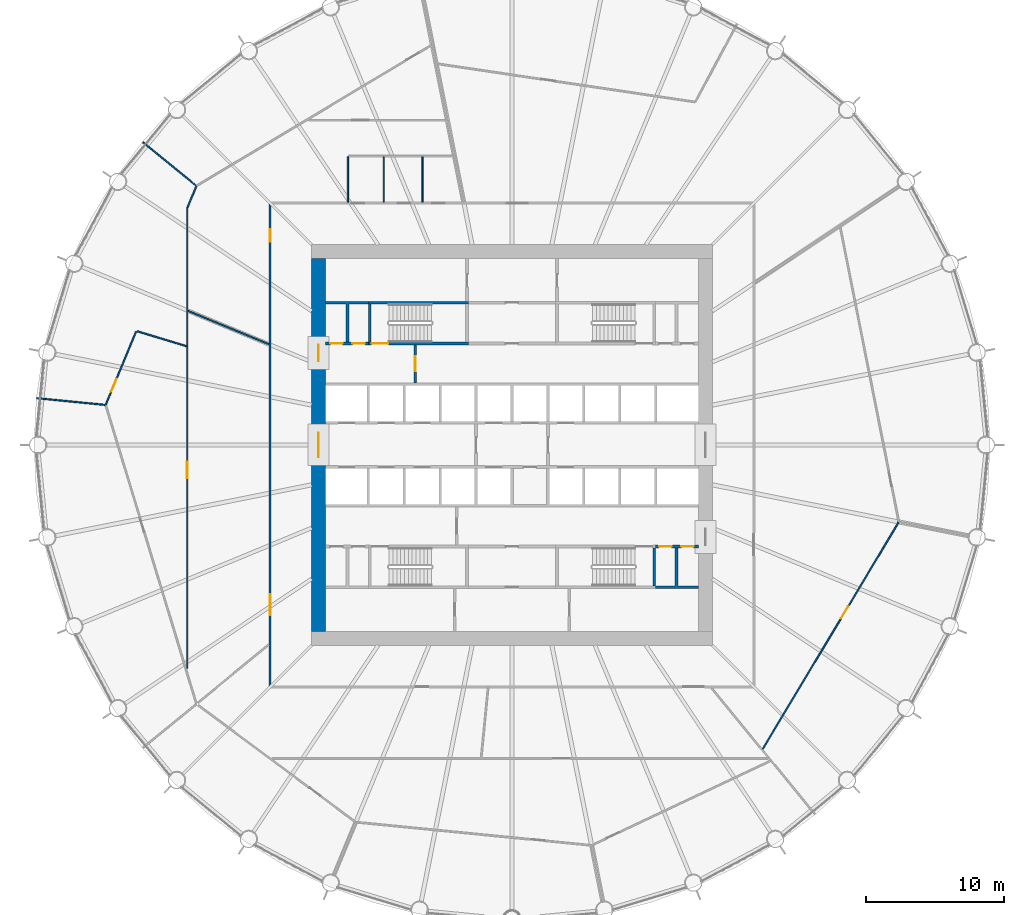
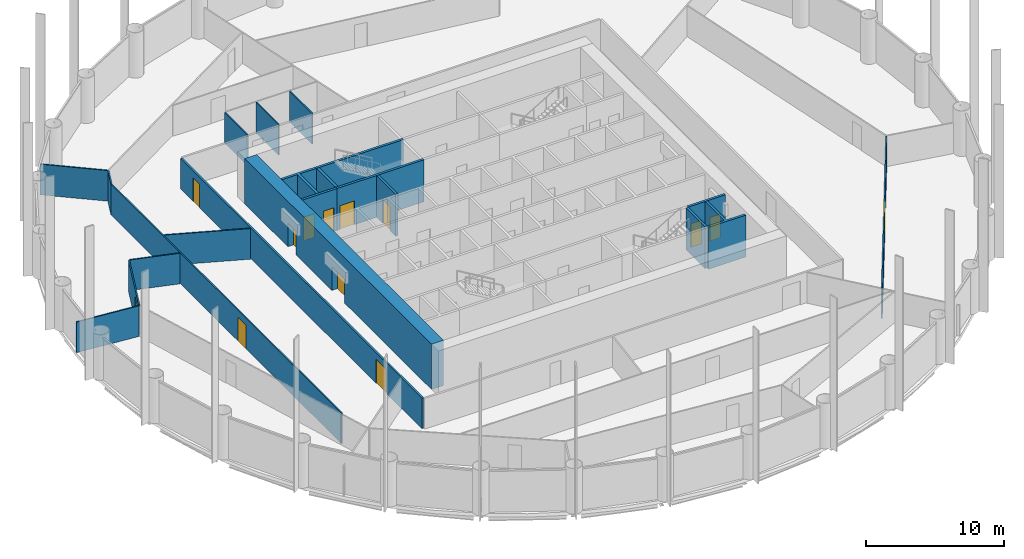
# One storey, part 5 of 10: 22 walls, 13 doors, 13 openings.
"""IFC4 building model written with IfcOpenShell, lengths in metres."""

from ifc_helpers import new_model, si_unit, direction, frame, frame_2d, origin, place, context, subcontext, project, spatial, polyline, rectangle, outline, extrude, material, layer, layer_set, type_object, element, fill, save


model = new_model("IFC4")

# Units and contexts
model_context = context("Model", 3, precision=1e-05, world=origin(), true_north=direction((0.0, 1.0)))
body_context = subcontext(model_context, "Body", "Model", "MODEL_VIEW")
ifc_project = project(units=[si_unit("LENGTHUNIT", "METRE"), si_unit("AREAUNIT", "SQUARE_METRE"), si_unit("VOLUMEUNIT", "CUBIC_METRE"), si_unit("PLANEANGLEUNIT", "RADIAN"), si_unit("MASSUNIT", "GRAM", prefix="KILO")], contexts=[model_context])

# Site, building, storey
site_placement = place(None, origin())
site = spatial("IfcSite", under=ifc_project, at=site_placement, CompositionType="ELEMENT")
building_placement = place(site_placement, origin())
building = spatial("IfcBuilding", under=site, at=building_placement, Name="Corvane Civic Tower", CompositionType="ELEMENT")
storey_placement = place(building_placement, frame((0.0, 0.0, 130.5)))
storey = spatial("IfcBuildingStorey", under=building, at=storey_placement, Name="L30", CompositionType="ELEMENT", Elevation=130.5)

# Wall, openings, doors
ifc_material_1 = material(Name="Concrete C70/85", Category="concrete")
ifc_layer_1 = layer(ifc_material_1, 1.0)
ifc_layer_set_1 = layer_set([ifc_layer_1], Name="Concrete C70/85")
wall_type_1 = type_object("IfcWallType", Name="CORE WALL 1000 C70/85", PredefinedType="SHEAR", material=ifc_layer_set_1)
wall_1_placement = place(storey_placement, frame((-14.0, -13.5, 0.0), z_axis=(0.0, 0.0, 1.0), x_axis=(0.0, 1.0, 0.0)))
wall_1 = element("IfcWall", 1, at=wall_1_placement, inside=storey, type_object=wall_type_1, Name="W-L30-core-W", PredefinedType="SHEAR", context=body_context, shape_type="SweptSolid", body=[
    extrude(rectangle(XDim=27.0, YDim=1.0, at=frame_2d((13.5, 0.0))), origin(), (0.0, 0.0, 1.0), 4.0),
])
opening_1_placement = place(wall_1_placement, frame((12.60009765625, 0.0, 0.0)))
opening_1 = element("IfcOpeningElement", 2, at=opening_1_placement, cuts=wall_1, Name="Opening L30.C26", PredefinedType="OPENING", context=body_context, shape_type="SweptSolid", body=[
    extrude(rectangle(XDim=1.800048828125, YDim=2.10009765625, at=frame_2d((0.89990234375, 1.050048828125))), frame((0.0, 0.510009765625, 0.0), z_axis=(0.0, -1.0, 0.0), x_axis=(1.0, 0.0, 0.0)), (0.0, 0.0, 1.0), 1.02001953125),
])
opening_2_placement = place(wall_1_placement, frame((19.550048828125, 0.0, 0.0)))
opening_2 = element("IfcOpeningElement", 3, at=opening_2_placement, cuts=wall_1, Name="Opening L30.C28", PredefinedType="OPENING", context=body_context, shape_type="SweptSolid", body=[
    extrude(rectangle(XDim=1.199951171875, YDim=2.10009765625, at=frame_2d((0.60009765625, 1.050048828125))), frame((0.0, 0.510009765625, 0.0), z_axis=(0.0, -1.0, 0.0), x_axis=(1.0, 0.0, 0.0)), (0.0, 0.0, 1.0), 1.02001953125),
])
ifc_material_2 = material(Name="Steel fire door leaf", Category="steel")
door_type_1 = type_object("IfcDoorType", Name="CR-DOOR-CORE-1800", OperationType="DOUBLE_DOOR_SINGLE_SWING", PredefinedType="DOOR", material=ifc_material_2)
door_1_placement = place(opening_1_placement, origin())
door_1 = element("IfcDoor", 4, at=door_1_placement, inside=storey, type_object=door_type_1, Name="L30 door", OperationType="DOUBLE_DOOR_SINGLE_SWING", OverallHeight=2.10009765625, OverallWidth=1.800048828125, PredefinedType="DOOR", context=body_context, shape_type="SweptSolid", body=[
    extrude(rectangle(XDim=1.800048828125, YDim=2.10009765625, at=frame_2d((0.89990234375, 1.050048828125))), frame((0.0, 0.02490234375, 0.0), z_axis=(0.0, -1.0, 0.0), x_axis=(1.0, 0.0, 0.0)), (0.0, 0.0, 1.0), 0.050048828125),
])
fill(opening_1, door_1)
door_2_placement = place(opening_2_placement, origin())
door_2 = element("IfcDoor", 5, at=door_2_placement, inside=storey, type_object=door_type_1, Name="L30 door", OperationType="DOUBLE_DOOR_SINGLE_SWING", OverallHeight=2.10009765625, OverallWidth=1.199951171875, PredefinedType="DOOR", context=body_context, shape_type="SweptSolid", body=[
    extrude(rectangle(XDim=1.199951171875, YDim=2.10009765625, at=frame_2d((0.60009765625, 1.050048828125))), frame((0.0, 0.02490234375, 0.0), z_axis=(0.0, -1.0, 0.0), x_axis=(1.0, 0.0, 0.0)), (0.0, 0.0, 1.0), 0.050048828125),
])
fill(opening_2, door_2)

ifc_material_3 = material(Name="Concrete C30/37", Category="concrete")
ifc_layer_2 = layer(ifc_material_3, 0.199951171875)
ifc_layer_set_2 = layer_set([ifc_layer_2], Name="Concrete C30/37")
wall_type_2 = type_object("IfcWallType", Name="CR-WALL-200", PredefinedType="PARTITIONING", material=ifc_layer_set_2)
wall_2_placement = place(storey_placement, frame((10.39990234375, -7.35009765625, 0.0), z_axis=(0.0, 0.0, 1.0), x_axis=(1.0, 0.0, 0.0)))
wall_2 = element("IfcWall", 6, at=wall_2_placement, inside=storey, type_object=wall_type_2, Name="L30 core partition wall", PredefinedType="PARTITIONING", context=body_context, shape_type="SweptSolid", body=[
    extrude(rectangle(XDim=3.10009765625, YDim=0.199951171875, at=frame_2d((1.550048828125, 0.0))), origin(), (0.0, 0.0, 1.0), 3.699951171875),
])
opening_3_placement = place(wall_2_placement, frame((0.25, 0.0, 0.0)))
opening_3 = element("IfcOpeningElement", 7, at=opening_3_placement, cuts=wall_2, Name="Opening L30.C16", PredefinedType="OPENING", context=body_context, shape_type="SweptSolid", body=[
    extrude(rectangle(XDim=0.89990234375, YDim=2.10009765625, at=frame_2d((0.449951171875, 1.050048828125))), frame((0.0, 0.10986328125, 0.0), z_axis=(0.0, -1.0, 0.0), x_axis=(1.0, 0.0, 0.0)), (0.0, 0.0, 1.0), 0.219970703125),
])
opening_4_placement = place(wall_2_placement, frame((1.85009765625, 0.0, 0.0)))
opening_4 = element("IfcOpeningElement", 8, at=opening_4_placement, cuts=wall_2, Name="Opening L30.C17", PredefinedType="OPENING", context=body_context, shape_type="SweptSolid", body=[
    extrude(rectangle(XDim=0.89990234375, YDim=2.10009765625, at=frame_2d((0.449951171875, 1.050048828125))), frame((0.0, 0.10986328125, 0.0), z_axis=(0.0, -1.0, 0.0), x_axis=(1.0, 0.0, 0.0)), (0.0, 0.0, 1.0), 0.219970703125),
])
ifc_material_4 = material(Name="Steel fire door leaf", Category="steel")
door_type_2 = type_object("IfcDoorType", Name="CR-DOOR-900", OperationType="SINGLE_SWING_LEFT", PredefinedType="DOOR", material=ifc_material_4)
door_3_placement = place(opening_3_placement, origin())
door_3 = element("IfcDoor", 9, at=door_3_placement, inside=storey, type_object=door_type_2, Name="L30 door", OperationType="SINGLE_SWING_LEFT", OverallHeight=2.10009765625, OverallWidth=0.89990234375, PredefinedType="DOOR", context=body_context, shape_type="SweptSolid", body=[
    extrude(rectangle(XDim=0.89990234375, YDim=2.10009765625, at=frame_2d((0.449951171875, 1.050048828125))), frame((0.0, 0.02490234375, 0.0), z_axis=(0.0, -1.0, 0.0), x_axis=(1.0, 0.0, 0.0)), (0.0, 0.0, 1.0), 0.050048828125),
])
fill(opening_3, door_3)
door_4_placement = place(opening_4_placement, origin())
door_4 = element("IfcDoor", 10, at=door_4_placement, inside=storey, type_object=door_type_2, Name="L30 door", OperationType="SINGLE_SWING_LEFT", OverallHeight=2.10009765625, OverallWidth=0.89990234375, PredefinedType="DOOR", context=body_context, shape_type="SweptSolid", body=[
    extrude(rectangle(XDim=0.89990234375, YDim=2.10009765625, at=frame_2d((0.449951171875, 1.050048828125))), frame((0.0, 0.02490234375, 0.0), z_axis=(0.0, -1.0, 0.0), x_axis=(1.0, 0.0, 0.0)), (0.0, 0.0, 1.0), 0.050048828125),
])
fill(opening_4, door_4)

wall_3_placement = place(storey_placement, frame((-13.5, 7.35009765625, 0.0), z_axis=(0.0, 0.0, 1.0), x_axis=(1.0, 0.0, 0.0)))
wall_3 = element("IfcWall", 11, at=wall_3_placement, inside=storey, type_object=wall_type_2, Name="L30 core partition wall", PredefinedType="PARTITIONING", context=body_context, shape_type="SweptSolid", body=[
    extrude(rectangle(XDim=3.10009765625, YDim=0.199951171875, at=frame_2d((1.550048828125, 0.0))), origin(), (0.0, 0.0, 1.0), 3.699951171875),
])
opening_5_placement = place(wall_3_placement, frame((0.35009765625, 0.0, 0.0)))
opening_5 = element("IfcOpeningElement", 12, at=opening_5_placement, cuts=wall_3, Name="Opening L30.C10", PredefinedType="OPENING", context=body_context, shape_type="SweptSolid", body=[
    extrude(rectangle(XDim=0.89990234375, YDim=2.10009765625, at=frame_2d((0.449951171875, 1.050048828125))), frame((0.0, 0.10986328125, 0.0), z_axis=(0.0, -1.0, 0.0), x_axis=(1.0, 0.0, 0.0)), (0.0, 0.0, 1.0), 0.219970703125),
])
opening_6_placement = place(wall_3_placement, frame((1.949951171875, 0.0, 0.0)))
opening_6 = element("IfcOpeningElement", 13, at=opening_6_placement, cuts=wall_3, Name="Opening L30.C11", PredefinedType="OPENING", context=body_context, shape_type="SweptSolid", body=[
    extrude(rectangle(XDim=0.89990234375, YDim=2.10009765625, at=frame_2d((0.449951171875, 1.050048828125))), frame((0.0, 0.10986328125, 0.0), z_axis=(0.0, -1.0, 0.0), x_axis=(1.0, 0.0, 0.0)), (0.0, 0.0, 1.0), 0.219970703125),
])
door_5_placement = place(opening_5_placement, origin())
door_5 = element("IfcDoor", 14, at=door_5_placement, inside=storey, type_object=door_type_2, Name="L30 door", OperationType="SINGLE_SWING_LEFT", OverallHeight=2.10009765625, OverallWidth=0.89990234375, PredefinedType="DOOR", context=body_context, shape_type="SweptSolid", body=[
    extrude(rectangle(XDim=0.89990234375, YDim=2.10009765625, at=frame_2d((0.449951171875, 1.050048828125))), frame((0.0, 0.02490234375, 0.0), z_axis=(0.0, -1.0, 0.0), x_axis=(1.0, 0.0, 0.0)), (0.0, 0.0, 1.0), 0.050048828125),
])
fill(opening_5, door_5)
door_6_placement = place(opening_6_placement, origin())
door_6 = element("IfcDoor", 15, at=door_6_placement, inside=storey, type_object=door_type_2, Name="L30 door", OperationType="SINGLE_SWING_LEFT", OverallHeight=2.10009765625, OverallWidth=0.89990234375, PredefinedType="DOOR", context=body_context, shape_type="SweptSolid", body=[
    extrude(rectangle(XDim=0.89990234375, YDim=2.10009765625, at=frame_2d((0.449951171875, 1.050048828125))), frame((0.0, 0.02490234375, 0.0), z_axis=(0.0, -1.0, 0.0), x_axis=(1.0, 0.0, 0.0)), (0.0, 0.0, 1.0), 0.050048828125),
])
fill(opening_6, door_6)

# Wall, opening, door
wall_4_placement = place(storey_placement, frame((-7.0, 4.5, 0.0), z_axis=(0.0, 0.0, 1.0), x_axis=(0.0, 1.0, 0.0)))
wall_4 = element("IfcWall", 16, at=wall_4_placement, inside=storey, type_object=wall_type_2, Name="L30 core partition wall", PredefinedType="PARTITIONING", context=body_context, shape_type="SweptSolid", body=[
    extrude(rectangle(XDim=2.75, YDim=0.199951171875, at=frame_2d((1.375, 0.0))), origin(), (0.0, 0.0, 1.0), 3.699951171875),
])
opening_7_placement = place(wall_4_placement, frame((0.824951171875, 0.0, 0.0)))
opening_7 = element("IfcOpeningElement", 17, at=opening_7_placement, cuts=wall_4, Name="Opening L30.C24", PredefinedType="OPENING", context=body_context, shape_type="SweptSolid", body=[
    extrude(rectangle(XDim=1.10009765625, YDim=2.10009765625, at=frame_2d((0.550048828125, 1.050048828125))), frame((0.0, 0.10986328125, 0.0), z_axis=(0.0, -1.0, 0.0), x_axis=(1.0, 0.0, 0.0)), (0.0, 0.0, 1.0), 0.219970703125),
])
ifc_material_5 = material(Name="Steel fire door leaf", Category="steel")
door_type_3 = type_object("IfcDoorType", Name="CR-DOOR-FFL-1100", OperationType="SINGLE_SWING_LEFT", PredefinedType="DOOR", material=ifc_material_5)
door_7_placement = place(opening_7_placement, origin())
door_7 = element("IfcDoor", 18, at=door_7_placement, inside=storey, type_object=door_type_3, Name="L30 lobby door", OperationType="SINGLE_SWING_LEFT", OverallHeight=2.10009765625, OverallWidth=1.10009765625, PredefinedType="DOOR", context=body_context, shape_type="SweptSolid", body=[
    extrude(rectangle(XDim=1.10009765625, YDim=2.10009765625, at=frame_2d((0.550048828125, 1.050048828125))), frame((0.0, 0.02490234375, 0.0), z_axis=(0.0, -1.0, 0.0), x_axis=(1.0, 0.0, 0.0)), (0.0, 0.0, 1.0), 0.050048828125),
])
fill(opening_7, door_7)

# Walls
wall_5_placement = place(storey_placement, origin())
element("IfcWall", 19, at=wall_5_placement, inside=storey, type_object=wall_type_2, Name="L30 core partition wall", PredefinedType="PARTITIONING", context=body_context, shape_type="SweptSolid", body=[
    extrude(outline(polyline([(-13.5, 10.39990234375), (-10.39990234375, 10.39990234375), (-10.39990234375, 10.199951171875), (-11.800048828125, 10.199951171875), (-11.800048828125, 7.449951171875), (-12.0, 7.449951171875), (-12.0, 10.199951171875), (-13.5, 10.199951171875), (-13.5, 10.39990234375)])), origin(), (0.0, 0.0, 1.0), 3.699951171875),
])
wall_6_placement = place(storey_placement, origin())
element("IfcWall", 20, at=wall_6_placement, inside=storey, type_object=wall_type_2, Name="L30 core partition wall", PredefinedType="PARTITIONING", context=body_context, shape_type="SweptSolid", body=[
    extrude(outline(polyline([(11.800048828125, -7.449951171875), (12.0, -7.449951171875), (12.0, -10.199951171875), (13.5, -10.199951171875), (13.5, -10.39990234375), (10.39990234375, -10.39990234375), (10.39990234375, -10.199951171875), (11.800048828125, -10.199951171875), (11.800048828125, -7.449951171875)])), origin(), (0.0, 0.0, 1.0), 3.699951171875),
])

# Wall, opening, door
ifc_material_6 = material(Name="Plasterboard")
ifc_layer_3 = layer(ifc_material_6, 0.10009765625)
ifc_layer_set_3 = layer_set([ifc_layer_3], Name="Plasterboard")
wall_type_3 = type_object("IfcWallType", Name="Partition 100 plasterboard on studs", PredefinedType="PARTITIONING", material=ifc_layer_set_3)
wall_7_placement = place(storey_placement, frame((18.14404296875, -22.003173828125, 0.0), z_axis=(0.0, 0.0, 1.0), x_axis=(0.514093969776, 0.857733869122, 0.0)))
wall_7 = element("IfcWall", 21, at=wall_7_placement, inside=storey, type_object=wall_type_3, Name="Partition L30.010", PredefinedType="PARTITIONING", context=body_context, shape_type="SweptSolid", body=[
    extrude(rectangle(XDim=19.12548828125, YDim=0.10009765625, at=frame_2d((9.562744140625, 0.0))), origin(), (0.0, 0.0, 1.0), 2.699951171875),
])
opening_8_placement = place(wall_7_placement, frame((11.037109375, 0.0, 0.0)))
opening_8 = element("IfcOpeningElement", 22, at=opening_8_placement, cuts=wall_7, Name="Opening L30.004", PredefinedType="OPENING", context=body_context, shape_type="SweptSolid", body=[
    extrude(rectangle(XDim=1.0, YDim=2.10009765625, at=frame_2d((0.5, 1.050048828125))), frame((0.0, 0.06005859375, 0.0), z_axis=(0.0, -1.0, 0.0), x_axis=(1.0, 0.0, 0.0)), (0.0, 0.0, 1.0), 0.1201171875),
])
ifc_material_7 = material(Name="Timber", Category="wood")
door_type_4 = type_object("IfcDoorType", Name="Single door 1000", OperationType="NOTDEFINED", PredefinedType="DOOR", material=ifc_material_7)
door_8_placement = place(opening_8_placement, frame((1.0, 0.0, 0.0), z_axis=(0.0, 0.0, 1.0), x_axis=(-1.0, 0.0, 0.0)))
door_8 = element("IfcDoor", 23, at=door_8_placement, inside=storey, type_object=door_type_4, Name="Door L30.004", OperationType="SINGLE_SWING_LEFT", OverallHeight=2.10009765625, OverallWidth=1.0, PredefinedType="DOOR", context=body_context, shape_type="SweptSolid", body=[
    extrude(rectangle(XDim=1.0, YDim=2.10009765625, at=frame_2d((0.5, 1.050048828125))), frame((0.0, 0.02490234375, 0.0), z_axis=(0.0, -1.0, 0.0), x_axis=(1.0, 0.0, 0.0)), (0.0, 0.0, 1.0), 0.050048828125),
])
fill(opening_8, door_8)

wall_8_placement = place(storey_placement, frame((-23.5, -16.150146484375, 0.0), z_axis=(0.0, 0.0, 1.0), x_axis=(0.0, 1.0, 0.0)))
wall_8 = element("IfcWall", 24, at=wall_8_placement, inside=storey, type_object=wall_type_3, Name="Partition L30.018", PredefinedType="PARTITIONING", context=body_context, shape_type="SweptSolid", body=[
    extrude(rectangle(XDim=33.284912109375, YDim=0.10009765625, at=frame_2d((16.642578125, 0.0))), origin(), (0.0, 0.0, 1.0), 2.699951171875),
])
opening_9_placement = place(wall_8_placement, frame((13.75341796875, 0.0, 0.0)))
opening_9 = element("IfcOpeningElement", 25, at=opening_9_placement, cuts=wall_8, Name="Opening L30.015", PredefinedType="OPENING", context=body_context, shape_type="SweptSolid", body=[
    extrude(rectangle(XDim=1.199951171875, YDim=2.10009765625, at=frame_2d((0.60009765625, 1.050048828125))), frame((0.0, 0.06005859375, 0.0), z_axis=(0.0, -1.0, 0.0), x_axis=(1.0, 0.0, 0.0)), (0.0, 0.0, 1.0), 0.1201171875),
])
ifc_material_8 = material(Name="Timber", Category="wood")
door_type_5 = type_object("IfcDoorType", Name="Double door 1200", OperationType="NOTDEFINED", PredefinedType="DOOR", material=ifc_material_8)
door_9_placement = place(opening_9_placement, origin())
door_9 = element("IfcDoor", 26, at=door_9_placement, inside=storey, type_object=door_type_5, Name="Door L30.015", OperationType="DOUBLE_DOOR_SINGLE_SWING", OverallHeight=2.10009765625, OverallWidth=1.199951171875, PredefinedType="DOOR", context=body_context, shape_type="SweptSolid", body=[
    extrude(rectangle(XDim=1.199951171875, YDim=2.10009765625, at=frame_2d((0.60009765625, 1.050048828125))), frame((0.0, 0.02490234375, 0.0), z_axis=(0.0, -1.0, 0.0), x_axis=(1.0, 0.0, 0.0)), (0.0, 0.0, 1.0), 0.050048828125),
])
fill(opening_9, door_9)

# Wall
wall_9_placement = place(storey_placement, frame((-34.3837890625, 3.386474609375, 0.0), z_axis=(0.0, 0.0, 1.0), x_axis=(0.995184455284, -0.098019895744, 0.0)))
element("IfcWall", 27, at=wall_9_placement, inside=storey, type_object=wall_type_3, Name="Partition L30.021", PredefinedType="PARTITIONING", context=body_context, shape_type="SweptSolid", body=[
    extrude(rectangle(XDim=4.968994140625, YDim=0.10009765625, at=frame_2d((2.484375, 0.0))), origin(), (0.0, 0.0, 1.0), 2.699951171875),
])

# Wall, opening, door
wall_10_placement = place(storey_placement, frame((-29.3876953125, 2.93017578125, 0.0), z_axis=(0.0, 0.0, 1.0), x_axis=(0.382680365816, 0.923880802711, 0.0)))
wall_10 = element("IfcWall", 28, at=wall_10_placement, inside=storey, type_object=wall_type_3, Name="Partition L30.022", PredefinedType="PARTITIONING", context=body_context, shape_type="SweptSolid", body=[
    extrude(rectangle(XDim=5.709228515625, YDim=0.10009765625, at=frame_2d((2.8544921875, 0.0))), origin(), (0.0, 0.0, 1.0), 2.699951171875),
])
opening_10_placement = place(wall_10_placement, frame((0.9921875, 0.0, 0.0)))
opening_10 = element("IfcOpeningElement", 29, at=opening_10_placement, cuts=wall_10, Name="Opening L30.013", PredefinedType="OPENING", context=body_context, shape_type="SweptSolid", body=[
    extrude(rectangle(XDim=1.0, YDim=2.10009765625, at=frame_2d((0.5, 1.050048828125))), frame((0.0, 0.06005859375, 0.0), z_axis=(0.0, -1.0, 0.0), x_axis=(1.0, 0.0, 0.0)), (0.0, 0.0, 1.0), 0.1201171875),
])
door_10_placement = place(opening_10_placement, origin())
door_10 = element("IfcDoor", 30, at=door_10_placement, inside=storey, type_object=door_type_4, Name="Door L30.013", OperationType="SINGLE_SWING_LEFT", OverallHeight=2.10009765625, OverallWidth=1.0, PredefinedType="DOOR", context=body_context, shape_type="SweptSolid", body=[
    extrude(rectangle(XDim=1.0, YDim=2.10009765625, at=frame_2d((0.5, 1.050048828125))), frame((0.0, 0.02490234375, 0.0), z_axis=(0.0, -1.0, 0.0), x_axis=(1.0, 0.0, 0.0)), (0.0, 0.0, 1.0), 0.050048828125),
])
fill(opening_10, door_10)

# Walls
wall_11_placement = place(storey_placement, frame((-27.14208984375, 8.2333984375, 0.0), z_axis=(0.0, 0.0, 1.0), x_axis=(0.956944730997, -0.290270187613, 0.0)))
element("IfcWall", 31, at=wall_11_placement, inside=storey, type_object=wall_type_3, Name="Partition L30.023", PredefinedType="PARTITIONING", context=body_context, shape_type="SweptSolid", body=[
    extrude(rectangle(XDim=3.738525390625, YDim=0.10009765625, at=frame_2d((1.869140625, 0.0))), origin(), (0.0, 0.0, 1.0), 2.699951171875),
])
wall_12_placement = place(storey_placement, frame((-23.430908203125, 9.705322265625, 0.0), z_axis=(0.0, 0.0, 1.0), x_axis=(0.923879776374, -0.382682843627, 0.0)))
element("IfcWall", 32, at=wall_12_placement, inside=storey, type_object=wall_type_3, Name="Partition L30.024", PredefinedType="PARTITIONING", context=body_context, shape_type="SweptSolid", body=[
    extrude(rectangle(XDim=6.31787109375, YDim=0.10009765625, at=frame_2d((3.158935546875, 0.0))), origin(), (0.0, 0.0, 1.0), 2.699951171875),
])
wall_13_placement = place(storey_placement, frame((-23.49609375, 17.15380859375, 0.0), z_axis=(0.0, 0.0, 1.0), x_axis=(0.382595261014, 0.923916049352, 0.0)))
element("IfcWall", 33, at=wall_13_placement, inside=storey, type_object=wall_type_3, Name="Partition L30.026", PredefinedType="PARTITIONING", context=body_context, shape_type="SweptSolid", body=[
    extrude(rectangle(XDim=1.6826171875, YDim=0.10009765625, at=frame_2d((0.84130859375, 0.0))), origin(), (0.0, 0.0, 1.0), 2.699951171875),
])
for number, where, z_axis, x_axis, name in (
    (34, (-11.881103515625, 17.574951171875, 0.0), (0.0, 0.0, 1.0), (0.0, 1.0, 0.0), "Partition L30.028"),
    (35, (-9.281005859375, 17.574951171875, 0.0), (0.0, 0.0, 1.0), (0.0, 1.0, 0.0), "Partition L30.029"),
    (36, (-6.48095703125, 17.574951171875, 0.0), (0.0, 0.0, 1.0), (0.0, 1.0, 0.0), "Partition L30.030"),
):
    element("IfcWall", number, at=place(storey_placement, frame(where, z_axis=z_axis, x_axis=x_axis)), inside=storey, type_object=wall_type_3, Name=name, PredefinedType="PARTITIONING", context=body_context, shape_type="SweptSolid", body=[
        extrude(rectangle(XDim=3.275146484375, YDim=0.10009765625, at=frame_2d((1.6376953125, 0.0))), origin(), (0.0, 0.0, 1.0), 2.699951171875),
    ])
wall_14_placement = place(storey_placement, frame((-26.707763671875, 21.91845703125, 0.0), z_axis=(0.0, 0.0, 1.0), x_axis=(0.773004174739, -0.634400934611, 0.0)))
element("IfcWall", 37, at=wall_14_placement, inside=storey, type_object=wall_type_3, Name="Partition L30.033", PredefinedType="PARTITIONING", context=body_context, shape_type="SweptSolid", body=[
    extrude(rectangle(XDim=4.968994140625, YDim=0.10009765625, at=frame_2d((2.484375, 0.0))), origin(), (0.0, 0.0, 1.0), 2.699951171875),
])

# Wall, opening, door
ifc_material_9 = material(Name="Concrete C50/60", Category="concrete")
ifc_layer_4 = layer(ifc_material_9, 0.199951171875)
ifc_layer_set_4 = layer_set([ifc_layer_4], Name="Concrete C50/60")
wall_type_4 = type_object("IfcWallType", Name="ST-WALL-200", PredefinedType="SHEAR", material=ifc_layer_set_4)
wall_15_placement = place(storey_placement, frame((-10.39990234375, 7.35009765625, 0.0), z_axis=(0.0, 0.0, 1.0), x_axis=(1.0, 0.0, 0.0)))
wall_15 = element("IfcWall", 38, at=wall_15_placement, inside=storey, type_object=wall_type_4, Name="L30 stair enclosure wall", PredefinedType="SHEAR", context=body_context, shape_type="SweptSolid", body=[
    extrude(rectangle(XDim=7.25, YDim=0.199951171875, at=frame_2d((3.625, 0.0))), origin(), (0.0, 0.0, 1.0), 3.699951171875),
])
opening_11_placement = place(wall_15_placement, frame((0.25, 0.0, 0.0)))
opening_11 = element("IfcOpeningElement", 39, at=opening_11_placement, cuts=wall_15, Name="Opening L30.C19", PredefinedType="OPENING", context=body_context, shape_type="SweptSolid", body=[
    extrude(rectangle(XDim=1.199951171875, YDim=2.10009765625, at=frame_2d((0.60009765625, 1.050048828125))), frame((0.0, 0.10986328125, 0.0), z_axis=(0.0, -1.0, 0.0), x_axis=(1.0, 0.0, 0.0)), (0.0, 0.0, 1.0), 0.219970703125),
])
ifc_material_10 = material(Name="Steel fire door leaf", Category="steel")
door_type_6 = type_object("IfcDoorType", Name="ST-DOOR-1200", OperationType="SINGLE_SWING_RIGHT", PredefinedType="DOOR", material=ifc_material_10)
door_11_placement = place(opening_11_placement, origin())
door_11 = element("IfcDoor", 40, at=door_11_placement, inside=storey, type_object=door_type_6, Name="L30 stair door", OperationType="SINGLE_SWING_RIGHT", OverallHeight=2.10009765625, OverallWidth=1.199951171875, PredefinedType="DOOR", context=body_context, shape_type="SweptSolid", body=[
    extrude(rectangle(XDim=1.199951171875, YDim=2.10009765625, at=frame_2d((0.60009765625, 1.050048828125))), frame((0.0, 0.02490234375, 0.0), z_axis=(0.0, -1.0, 0.0), x_axis=(1.0, 0.0, 0.0)), (0.0, 0.0, 1.0), 0.050048828125),
])
fill(opening_11, door_11)

# Walls
wall_16_placement = place(storey_placement, origin())
element("IfcWall", 41, at=wall_16_placement, inside=storey, type_object=wall_type_4, Name="L30 stair enclosure wall", PredefinedType="SHEAR", context=body_context, shape_type="SweptSolid", body=[
    extrude(outline(polyline([(-3.14990234375, 10.199951171875), (-10.39990234375, 10.199951171875), (-10.39990234375, 10.39990234375), (-3.14990234375, 10.39990234375), (-3.14990234375, 10.199951171875)])), origin(), (0.0, 0.0, 1.0), 3.699951171875),
])
wall_17_placement = place(storey_placement, origin())
element("IfcWall", 42, at=wall_17_placement, inside=storey, type_object=wall_type_4, Name="L30 stair enclosure wall", PredefinedType="SHEAR", context=body_context, shape_type="SweptSolid", body=[
    extrude(outline(polyline([(-10.199951171875, 7.449951171875), (-10.39990234375, 7.449951171875), (-10.39990234375, 10.199951171875), (-10.199951171875, 10.199951171875), (-10.199951171875, 7.449951171875)])), origin(), (0.0, 0.0, 1.0), 3.699951171875),
])
wall_18_placement = place(storey_placement, origin())
element("IfcWall", 43, at=wall_18_placement, inside=storey, type_object=wall_type_4, Name="L30 stair enclosure wall", PredefinedType="SHEAR", context=body_context, shape_type="SweptSolid", body=[
    extrude(outline(polyline([(10.39990234375, -7.449951171875), (10.39990234375, -10.199951171875), (10.199951171875, -10.199951171875), (10.199951171875, -7.449951171875), (10.39990234375, -7.449951171875)])), origin(), (0.0, 0.0, 1.0), 3.699951171875),
])

# Wall, openings, doors
ifc_material_11 = material(Name="Plasterboard")
ifc_layer_5 = layer(ifc_material_11, 0.14990234375)
ifc_layer_set_5 = layer_set([ifc_layer_5], Name="Plasterboard")
wall_type_5 = type_object("IfcWallType", Name="Tenancy wall 150 EI 60", PredefinedType="PARTITIONING", material=ifc_layer_set_5)
wall_19_placement = place(storey_placement, frame((-17.5, -17.425048828125, 0.0), z_axis=(0.0, 0.0, 1.0), x_axis=(0.0, 1.0, 0.0)))
wall_19 = element("IfcWall", 44, at=wall_19_placement, inside=storey, type_object=wall_type_5, Name="Partition L30.015", PredefinedType="PARTITIONING", context=body_context, shape_type="SweptSolid", body=[
    extrude(rectangle(XDim=34.85009765625, YDim=0.14990234375, at=frame_2d((17.425048828125, 0.0))), origin(), (0.0, 0.0, 1.0), 2.699951171875),
])
opening_12_placement = place(wall_19_placement, frame((5.1083984375, 0.0, 0.0)))
opening_12 = element("IfcOpeningElement", 45, at=opening_12_placement, cuts=wall_19, Name="Opening L30.017", PredefinedType="OPENING", context=body_context, shape_type="SweptSolid", body=[
    extrude(rectangle(XDim=1.5, YDim=2.10009765625, at=frame_2d((0.75, 1.050048828125))), frame((0.0, 0.0849609375, 0.0), z_axis=(0.0, -1.0, 0.0), x_axis=(1.0, 0.0, 0.0)), (0.0, 0.0, 1.0), 0.169921875),
])
opening_13_placement = place(wall_19_placement, frame((32.13916015625, 0.0, 0.0)))
opening_13 = element("IfcOpeningElement", 46, at=opening_13_placement, cuts=wall_19, Name="Opening L30.018", PredefinedType="OPENING", context=body_context, shape_type="SweptSolid", body=[
    extrude(rectangle(XDim=0.89990234375, YDim=2.10009765625, at=frame_2d((0.449951171875, 1.050048828125))), frame((0.0, 0.0849609375, 0.0), z_axis=(0.0, -1.0, 0.0), x_axis=(1.0, 0.0, 0.0)), (0.0, 0.0, 1.0), 0.169921875),
])
ifc_material_12 = material(Name="Steel and timber", Category="steel")
door_type_7 = type_object("IfcDoorType", Name="Fire door FD30S 900", OperationType="NOTDEFINED", PredefinedType="DOOR", material=ifc_material_12)
door_12_placement = place(opening_13_placement, origin())
door_12 = element("IfcDoor", 47, at=door_12_placement, inside=storey, type_object=door_type_7, Name="Door L30.018", OperationType="SINGLE_SWING_LEFT", OverallHeight=2.10009765625, OverallWidth=0.89990234375, PredefinedType="DOOR", context=body_context, shape_type="SweptSolid", body=[
    extrude(rectangle(XDim=0.89990234375, YDim=2.10009765625, at=frame_2d((0.449951171875, 1.050048828125))), frame((0.0, 0.02490234375, 0.0), z_axis=(0.0, -1.0, 0.0), x_axis=(1.0, 0.0, 0.0)), (0.0, 0.0, 1.0), 0.050048828125),
])
fill(opening_13, door_12)
ifc_material_13 = material(Name="Steel and timber", Category="steel")
door_type_8 = type_object("IfcDoorType", Name="Fire door FD60 double 1500", OperationType="NOTDEFINED", PredefinedType="DOOR", material=ifc_material_13)
door_13_placement = place(opening_12_placement, origin())
door_13 = element("IfcDoor", 48, at=door_13_placement, inside=storey, type_object=door_type_8, Name="Door L30.017", OperationType="DOUBLE_DOOR_SINGLE_SWING", OverallHeight=2.10009765625, OverallWidth=1.5, PredefinedType="DOOR", context=body_context, shape_type="SweptSolid", body=[
    extrude(rectangle(XDim=1.5, YDim=2.10009765625, at=frame_2d((0.75, 1.050048828125))), frame((0.0, 0.02490234375, 0.0), z_axis=(0.0, -1.0, 0.0), x_axis=(1.0, 0.0, 0.0)), (0.0, 0.0, 1.0), 0.050048828125),
])
fill(opening_12, door_13)

save(model, "model.ifc")
